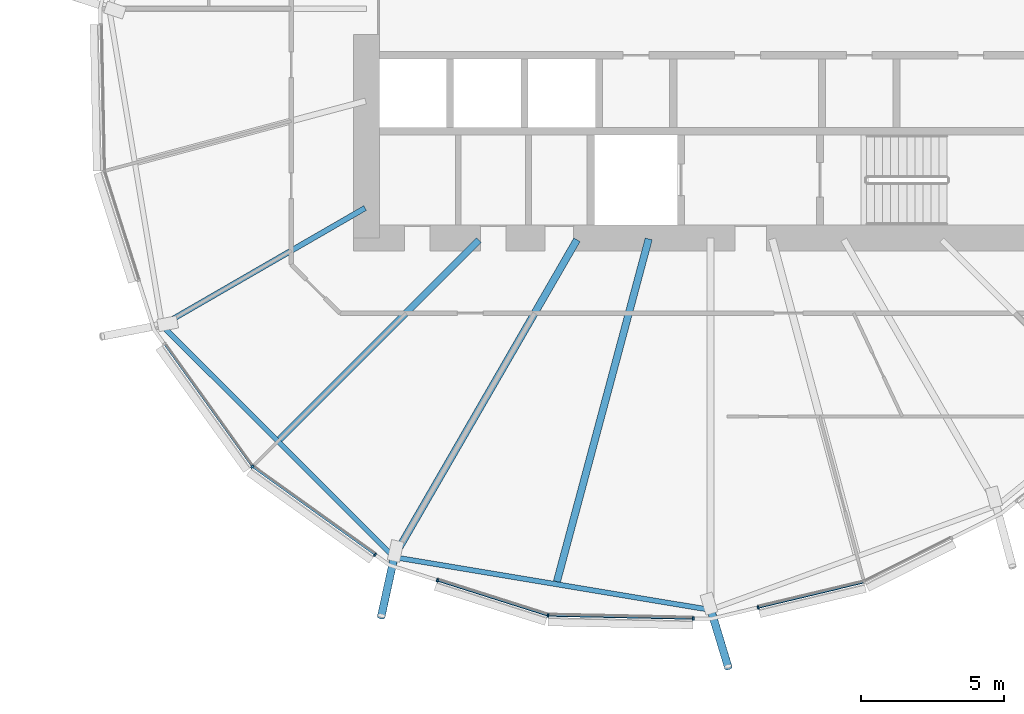
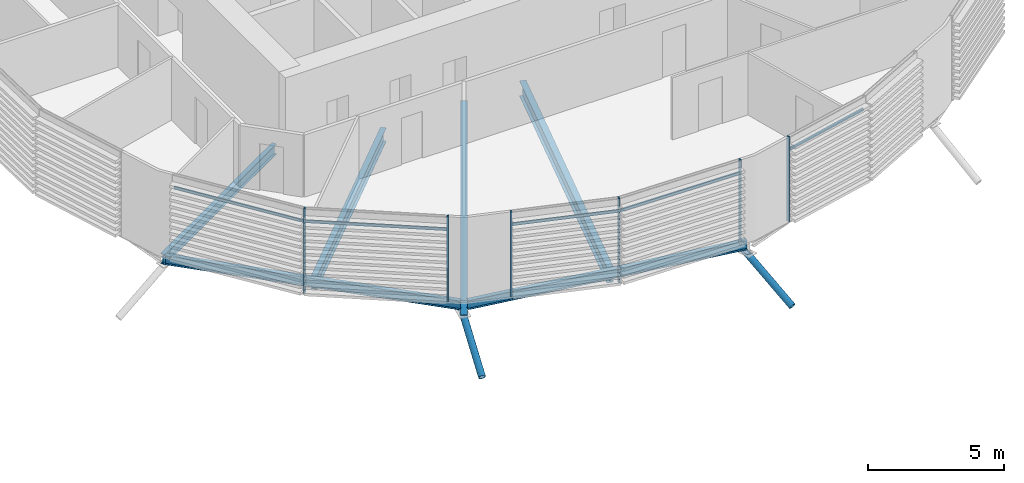
# One storey, part 13 of 37: 13 members, 6 beams, 1 element without a shape of its own.
"""IFC4 building model written with IfcOpenShell, lengths in metres."""

from ifc_helpers import new_model, si_unit, direction, frame, origin, origin_2d, place, context, subcontext, project, spatial, rectangle, hollow_circle, i_section, extrude, clip, halfspace, material, material_profile, profile_set, type_object, element, aggregate, save


model = new_model("IFC4")

# Units and contexts
model_context = context("Model", 3, precision=1e-05, world=origin(), true_north=direction((0.0, 1.0)))
body_context = subcontext(model_context, "Body", "Model", "MODEL_VIEW")
ifc_project = project(units=[si_unit("LENGTHUNIT", "METRE"), si_unit("AREAUNIT", "SQUARE_METRE"), si_unit("VOLUMEUNIT", "CUBIC_METRE"), si_unit("PLANEANGLEUNIT", "RADIAN"), si_unit("MASSUNIT", "GRAM", prefix="KILO")], contexts=[model_context])

# Site, building, storey
site_placement = place(None, origin())
site = spatial("IfcSite", under=ifc_project, at=site_placement, CompositionType="ELEMENT")
building_placement = place(site_placement, origin())
building = spatial("IfcBuilding", under=site, at=building_placement, Name="Rimbun Link Towers", CompositionType="ELEMENT")
storey_placement = place(building_placement, frame((0.0, 0.0, 45.199951171875)))
storey = spatial("IfcBuildingStorey", under=building, at=storey_placement, Name="L10", CompositionType="ELEMENT", Elevation=45.199951171875)

# Curtain wall, members
ifc_material_1 = material(Name="Aluminium 6063-T6 and low-iron glass", Category="aluminium")
curtain_wall_type = type_object("IfcCurtainWallType", Name="CW1 unitised vision wall", PredefinedType="NOTDEFINED", material=ifc_material_1)
curtain_wall_placement = place(storey_placement, origin())
curtain_wall = element("IfcCurtainWall", 1, at=curtain_wall_placement, inside=storey, type_object=curtain_wall_type, Name="CW1 L10 T2", PredefinedType="NOTDEFINED")
ifc_material_2 = material(Name="Aluminium 6063-T6", Category="aluminium")
ifc_material_profile_1 = material_profile(ifc_material_2, rectangle(XDim=0.1201171875, YDim=0.06005859375, at=origin_2d()), Name="MULLION 60X120")
ifc_profile_set_1 = profile_set([ifc_material_profile_1], Name="Aluminium 6063-T6")
member_type_1 = type_object("IfcMemberType", Name="CW1 mullion 60X120", PredefinedType="MULLION", material=ifc_profile_set_1)
member_1_placement = place(storey_placement, frame((15.76806640625, -15.98193359375, 0.0), z_axis=(0.0, 0.0, 1.0), x_axis=(-0.707106781187, -0.707106781187, 0.0)))
member_1 = element("IfcMember", 2, at=member_1_placement, type_object=member_type_1, Name="CW1 mullion", PredefinedType="MULLION", context=body_context, shape_type="SweptSolid", body=[
    extrude(rectangle(XDim=0.1201171875, YDim=0.06005859375, at=origin_2d()), origin(), (0.0, 0.0, 1.0), 3.800048828125),
])
member_2_placement = place(storey_placement, frame((20.051513671875, -19.056396484375, 0.0), z_axis=(0.0, 0.0, 1.0), x_axis=(-0.582995512796, -0.812475373202, 0.0)))
member_2 = element("IfcMember", 3, at=member_2_placement, type_object=member_type_1, Name="CW1 mullion", PredefinedType="MULLION", context=body_context, shape_type="SweptSolid", body=[
    extrude(rectangle(XDim=0.1201171875, YDim=0.06005859375, at=origin_2d()), origin(), (0.0, 0.0, 1.0), 3.800048828125),
])
member_3_placement = place(storey_placement, frame((26.0830078125, -21.171875, 0.0), z_axis=(0.0, 0.0, 1.0), x_axis=(-0.163749935396, -0.986501879703, 0.0)))
member_3 = element("IfcMember", 4, at=member_3_placement, type_object=member_type_1, Name="CW1 mullion", PredefinedType="MULLION", context=body_context, shape_type="SweptSolid", body=[
    extrude(rectangle(XDim=0.1201171875, YDim=0.06005859375, at=origin_2d()), origin(), (0.0, 0.0, 1.0), 3.800048828125),
])
member_4_placement = place(storey_placement, frame((22.223388671875, -19.945068359375, 0.0), z_axis=(0.0, 0.0, 1.0), x_axis=(-0.303071090127, -0.952967950316, 0.0)))
member_4 = element("IfcMember", 5, at=member_4_placement, type_object=member_type_1, Name="CW1 mullion", PredefinedType="MULLION", context=body_context, shape_type="SweptSolid", body=[
    extrude(rectangle(XDim=0.1201171875, YDim=0.06005859375, at=origin_2d()), origin(), (0.0, 0.0, 1.0), 3.800048828125),
])
member_5_placement = place(storey_placement, frame((31.14892578125, -21.279296875, 0.0), z_axis=(0.0, 0.0, 1.0), x_axis=(-0.021066190713, -0.999778083181, 0.0)))
member_5 = element("IfcMember", 6, at=member_5_placement, type_object=member_type_1, Name="CW1 mullion", PredefinedType="MULLION", context=body_context, shape_type="SweptSolid", body=[
    extrude(rectangle(XDim=0.1201171875, YDim=0.06005859375, at=origin_2d()), origin(), (0.0, 0.0, 1.0), 3.800048828125),
])
member_6_placement = place(storey_placement, frame((33.417236328125, -20.894775390625, 0.0), z_axis=(0.0, 0.0, 1.0), x_axis=(0.232609871785, -0.972570124746, 0.0)))
member_6 = element("IfcMember", 7, at=member_6_placement, type_object=member_type_1, Name="CW1 mullion", PredefinedType="MULLION", context=body_context, shape_type="SweptSolid", body=[
    extrude(rectangle(XDim=0.1201171875, YDim=0.06005859375, at=origin_2d()), origin(), (0.0, 0.0, 1.0), 3.800048828125),
])
ifc_material_3 = material(Name="Aluminium 6063-T6", Category="aluminium")
ifc_material_profile_2 = material_profile(ifc_material_3, rectangle(XDim=0.06005859375, YDim=0.1201171875, at=origin_2d()), Name="TRANSOM 60X120")
ifc_profile_set_2 = profile_set([ifc_material_profile_2], Name="Aluminium 6063-T6")
member_type_2 = type_object("IfcMemberType", Name="CW1 transom 60X120", PredefinedType="USERDEFINED", material=ifc_profile_set_2)
member_7_placement = place(storey_placement, frame((15.745849609375, -15.948974609375, 3.199951171875), z_axis=(-0.582981282099, 0.812485584316, 0.0), x_axis=(-0.812485584316, -0.582981282099, 0.0)))
member_7 = element("IfcMember", 8, at=member_7_placement, type_object=member_type_2, Name="CW1 transom", ObjectType="TRANSOM", PredefinedType="USERDEFINED", context=body_context, shape_type="SweptSolid", body=[
    extrude(rectangle(XDim=0.06005859375, YDim=0.1201171875, at=origin_2d()), origin(), (0.0, 0.0, 1.0), 5.202880859375),
])
member_8_placement = place(storey_placement, frame((20.0283203125, -19.037353515625, 3.199951171875), z_axis=(-0.812485584316, 0.582981282099, 0.0), x_axis=(-0.582981282099, -0.812485584316, 0.0)))
member_8 = element("IfcMember", 9, at=member_8_placement, type_object=member_type_2, Name="CW1 transom", ObjectType="TRANSOM", PredefinedType="USERDEFINED", context=body_context, shape_type="SweptSolid", body=[
    extrude(rectangle(XDim=0.06005859375, YDim=0.1201171875, at=origin_2d()), origin(), (0.0, 0.0, 1.0), 5.202880859375),
])
member_9_placement = place(storey_placement, frame((26.046630859375, -21.158935546875, 3.199951171875), z_axis=(-0.95295315845, 0.303117597311, 0.0), x_axis=(-0.303117597311, -0.95295315845, 0.0)))
member_9 = element("IfcMember", 10, at=member_9_placement, type_object=member_type_2, Name="CW1 transom", ObjectType="TRANSOM", PredefinedType="USERDEFINED", context=body_context, shape_type="SweptSolid", body=[
    extrude(rectangle(XDim=0.06005859375, YDim=0.1201171875, at=origin_2d()), origin(), (0.0, 0.0, 1.0), 3.981201171875),
])
member_10_placement = place(storey_placement, frame((31.118896484375, -21.276611328125, 3.199951171875), z_axis=(-0.999778391248, 0.021051565129, 0.0), x_axis=(-0.021051565129, -0.999778391248, 0.0)))
member_10 = element("IfcMember", 11, at=member_10_placement, type_object=member_type_2, Name="CW1 transom", ObjectType="TRANSOM", PredefinedType="USERDEFINED", context=body_context, shape_type="SweptSolid", body=[
    extrude(rectangle(XDim=0.06005859375, YDim=0.1201171875, at=origin_2d()), origin(), (0.0, 0.0, 1.0), 4.99853515625),
])
member_11_placement = place(storey_placement, frame((37.080810546875, -20.0166015625, 3.199951171875), z_axis=(-0.972566683754, -0.23262425852, 0.0), x_axis=(0.23262425852, -0.972566683754, 0.0)))
member_11 = element("IfcMember", 12, at=member_11_placement, type_object=member_type_2, Name="CW1 transom", ObjectType="TRANSOM", PredefinedType="USERDEFINED", context=body_context, shape_type="SweptSolid", body=[
    extrude(rectangle(XDim=0.06005859375, YDim=0.1201171875, at=origin_2d()), origin(), (0.0, 0.0, 1.0), 3.7373046875),
])
aggregate(curtain_wall, [member_1, member_2, member_3, member_4, member_5, member_6, member_7, member_8, member_9, member_10, member_11])

# Members
ifc_material_4 = material(Name="Steel S355J2H", Category="steel")
ifc_material_profile_3 = material_profile(ifc_material_4, hollow_circle(Radius=0.136474609375, WallThickness=0.012451171875, at=origin_2d()), Name="CHS 273x12.5")
ifc_profile_set_3 = profile_set([ifc_material_profile_3], Name="Steel S355J2H")
member_type_3 = type_object("IfcMemberType", Name="Floor edge link CHS 273x12.5", PredefinedType="BRACE", material=ifc_profile_set_3)
member_12_placement = place(storey_placement, frame((20.726806640625, -19.092529296875, -0.962158203125), z_axis=(-0.186602408903, -0.852788623952, -0.487781819926), x_axis=(0.976886887417, -0.213756892738, 0.0)))
element("IfcMember", 13, at=member_12_placement, inside=storey, type_object=member_type_3, Name="Floor edge link T2 L10 13", PredefinedType="BRACE", context=body_context, shape_type="Clipping", body=[
    clip(extrude(hollow_circle(Radius=0.136474609375, WallThickness=0.012451171875, at=origin_2d()), frame((0.0, 0.0, -0.50927734375)), (0.0, 0.0, 1.0), 3.0107421875), halfspace(frame((0.0, 0.0, -0.2392578125), z_axis=(0.0, 0.872965575581, -0.487781819926)), False)),
])
member_13_placement = place(storey_placement, frame((31.75, -20.9248046875, -0.962158203125), z_axis=(0.252942587007, -0.834021588443, -0.490334618082), x_axis=(0.956957894762, 0.290226786587, 0.0)))
element("IfcMember", 14, at=member_13_placement, inside=storey, type_object=member_type_3, Name="Floor edge link T2 L10 15", PredefinedType="BRACE", context=body_context, shape_type="Clipping", body=[
    clip(extrude(hollow_circle(Radius=0.136474609375, WallThickness=0.012451171875, at=origin_2d()), frame((0.0, 0.0, -0.505615234375)), (0.0, 0.0, 1.0), 2.986083984375), halfspace(frame((0.0, 0.0, -0.238037109375), z_axis=(0.0, 0.871534257681, -0.490334618082)), False)),
])

# Beams
ifc_material_5 = material(Name="Steel S355J2", Category="steel")
ifc_material_profile_4 = material_profile(ifc_material_5, i_section(OverallWidth=0.177978515625, OverallDepth=0.406494140625, WebThickness=0.0078125, FlangeThickness=0.0126953125, at=origin_2d()), Name="UB 406x178x60")
ifc_profile_set_4 = profile_set([ifc_material_profile_4], Name="Steel S355J2")
beam_type_1 = type_object("IfcBeamType", Name="UB 406x178x60", PredefinedType="BEAM", material=ifc_profile_set_4)
beam_1_placement = place(storey_placement, frame((12.684326171875, -11.118408203125, -0.363037109375), z_axis=(0.707117674249, -0.707095887957, 0.0), x_axis=(0.707095887957, 0.707117674249, 0.0)))
element("IfcBeam", 15, at=beam_1_placement, inside=storey, type_object=beam_type_1, Name="Edge beam T2 L10 11-13", PredefinedType="BEAM", context=body_context, shape_type="SweptSolid", body=[
    extrude(i_section(OverallWidth=0.177978515625, OverallDepth=0.406494140625, WebThickness=0.0078125, FlangeThickness=0.0126953125, at=origin_2d()), origin(), (0.0, 0.0, 1.0), 11.2060546875),
])
beam_2_placement = place(storey_placement, frame((20.83642578125, -19.158203125, -0.363037109375), z_axis=(0.986427093946, -0.16419984266, 0.0), x_axis=(0.16419984266, 0.986427093946, 0.0)))
element("IfcBeam", 16, at=beam_2_placement, inside=storey, type_object=beam_type_1, Name="Edge beam T2 L10 13-15", PredefinedType="BEAM", context=body_context, shape_type="SweptSolid", body=[
    extrude(i_section(OverallWidth=0.177978515625, OverallDepth=0.406494140625, WebThickness=0.0078125, FlangeThickness=0.0126953125, at=origin_2d()), origin(), (0.0, 0.0, 1.0), 10.934326171875),
])
ifc_material_6 = material(Name="Steel S355J2", Category="steel")
ifc_material_profile_5 = material_profile(ifc_material_6, i_section(OverallWidth=0.18994140625, OverallDepth=0.453369140625, WebThickness=0.008544921875, FlangeThickness=0.0126953125, at=origin_2d()), Name="UB 457x191x67")
ifc_profile_set_5 = profile_set([ifc_material_profile_5], Name="Steel S355J2")
beam_type_2 = type_object("IfcBeamType", Name="UB 457x191x67", PredefinedType="BEAM", material=ifc_profile_set_5)
beam_3_placement = place(storey_placement, frame((19.70166015625, -6.9560546875, -0.38671875), z_axis=(-0.86602612282, -0.499998754593, 0.0), x_axis=(0.499998754593, -0.86602612282, 0.0)))
element("IfcBeam", 17, at=beam_3_placement, inside=storey, type_object=beam_type_2, Name="Radial beam T2 L10 11", PredefinedType="BEAM", context=body_context, shape_type="SweptSolid", body=[
    extrude(i_section(OverallWidth=0.18994140625, OverallDepth=0.453369140625, WebThickness=0.008544921875, FlangeThickness=0.0126953125, at=origin_2d()), origin(), (0.0, 0.0, 1.0), 8.18408203125),
])
ifc_material_7 = material(Name="Steel S355J2", Category="steel")
ifc_material_profile_6 = material_profile(ifc_material_7, i_section(OverallWidth=0.2275390625, OverallDepth=0.6025390625, WebThickness=0.010498046875, FlangeThickness=0.014892578125, at=origin_2d()), Name="UB 610x229x101")
ifc_profile_set_6 = profile_set([ifc_material_profile_6], Name="Steel S355J2")
beam_type_3 = type_object("IfcBeamType", Name="UB 610x229x101", PredefinedType="BEAM", material=ifc_profile_set_6)
beam_4_placement = place(storey_placement, frame((23.668701171875, -8.081298828125, -0.461181640625), z_axis=(-0.707106781187, -0.707106781187, 0.0), x_axis=(0.707106781187, -0.707106781187, 0.0)))
element("IfcBeam", 18, at=beam_4_placement, inside=storey, type_object=beam_type_3, Name="Radial beam T2 L10 12", PredefinedType="BEAM", context=body_context, shape_type="SweptSolid", body=[
    extrude(i_section(OverallWidth=0.2275390625, OverallDepth=0.6025390625, WebThickness=0.010498046875, FlangeThickness=0.014892578125, at=origin_2d()), origin(), (0.0, 0.0, 1.0), 9.824462890625),
])
ifc_material_8 = material(Name="Steel S355J2", Category="steel")
ifc_material_profile_7 = material_profile(ifc_material_8, i_section(OverallWidth=0.253662109375, OverallDepth=0.68359375, WebThickness=0.012451171875, FlangeThickness=0.01904296875, at=origin_2d()), Name="UB 686x254x140")
ifc_profile_set_7 = profile_set([ifc_material_profile_7], Name="Steel S355J2")
beam_type_4 = type_object("IfcBeamType", Name="UB 686x254x140", PredefinedType="BEAM", material=ifc_profile_set_7)
beam_5_placement = place(storey_placement, frame((27.093994140625, -8.064208984375, -0.501708984375), z_axis=(-0.499988044872, -0.866032305971, 0.0), x_axis=(0.866032305971, -0.499988044872, 0.0)))
element("IfcBeam", 19, at=beam_5_placement, inside=storey, type_object=beam_type_4, Name="Radial beam T2 L10 13", PredefinedType="BEAM", context=body_context, shape_type="SweptSolid", body=[
    extrude(i_section(OverallWidth=0.253662109375, OverallDepth=0.68359375, WebThickness=0.012451171875, FlangeThickness=0.01904296875, at=origin_2d()), origin(), (0.0, 0.0, 1.0), 12.784423828125),
])
beam_6_placement = place(storey_placement, frame((29.597412109375, -8.03369140625, -0.501708984375), z_axis=(-0.258811328471, -0.965927893921, 0.0), x_axis=(0.965927893921, -0.258811328471, 0.0)))
element("IfcBeam", 20, at=beam_6_placement, inside=storey, type_object=beam_type_4, Name="Radial beam T2 L10 14", PredefinedType="BEAM", context=body_context, shape_type="SweptSolid", body=[
    extrude(i_section(OverallWidth=0.253662109375, OverallDepth=0.68359375, WebThickness=0.012451171875, FlangeThickness=0.01904296875, at=origin_2d()), origin(), (0.0, 0.0, 1.0), 12.380126953125),
])

save(model, "model.ifc")
